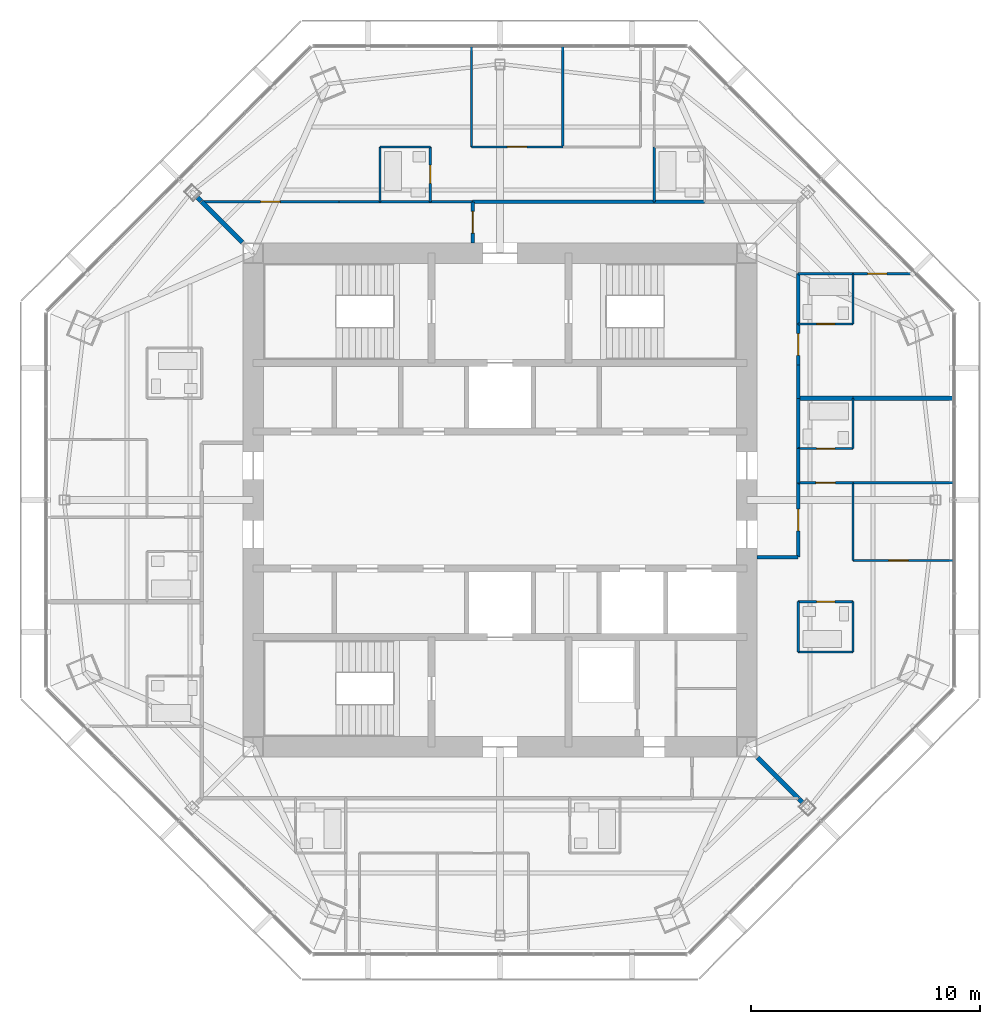
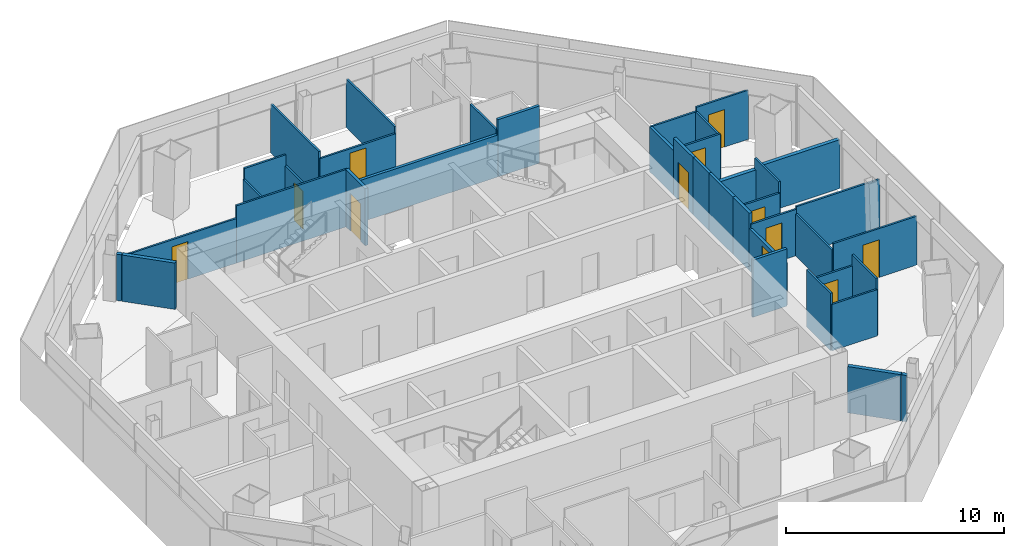
# One storey, part 11 of 14: 39 walls, 12 doors, 12 openings.
"""IFC4 building model written with IfcOpenShell, lengths in metres."""

from ifc_helpers import new_model, si_unit, direction, frame, frame_2d, origin, place, context, subcontext, project, spatial, rectangle, extrude, material, layer, layer_set, type_object, element, fill, save


model = new_model("IFC4")

# Units and contexts
model_context = context("Model", 3, precision=1e-05, world=origin(), true_north=direction((0.0, 1.0)))
body_context = subcontext(model_context, "Body", "Model", "MODEL_VIEW")
ifc_project = project(units=[si_unit("LENGTHUNIT", "METRE"), si_unit("AREAUNIT", "SQUARE_METRE"), si_unit("VOLUMEUNIT", "CUBIC_METRE"), si_unit("PLANEANGLEUNIT", "RADIAN"), si_unit("MASSUNIT", "GRAM", prefix="KILO")], contexts=[model_context])

# Site, building, storey
site_placement = place(None, origin())
site = spatial("IfcSite", under=ifc_project, at=site_placement, CompositionType="ELEMENT")
building_placement = place(site_placement, origin())
building = spatial("IfcBuilding", under=site, at=building_placement, Name="Mashrafa Tower", CompositionType="ELEMENT")
storey_placement = place(building_placement, frame((0.0, 0.0, 287.800048828125)))
storey = spatial("IfcBuildingStorey", under=building, at=storey_placement, Name="L70", CompositionType="ELEMENT", Elevation=287.800048828125)

# Walls
ifc_material_1 = material(Name="Gypsum board on steel studs", Category="steel")
ifc_layer_1 = layer(ifc_material_1, 0.199951171875)
ifc_layer_set_1 = layer_set([ifc_layer_1], Name="Acoustic partition 200 1 hr")
wall_type_1 = type_object("IfcWallType", Name="Acoustic partition 200 1 hr", PredefinedType="PARTITIONING", material=ifc_layer_set_1)
wall_1_placement = place(storey_placement, frame((15.449951171875, 4.449951171875, 0.0), z_axis=(0.0, 0.0, 1.0), x_axis=(-1.0, 0.0, 0.0)))
element("IfcWall", 1, at=wall_1_placement, inside=storey, type_object=wall_type_1, Name="Acoustic wall L70-043", PredefinedType="PARTITIONING", context=body_context, shape_type="SweptSolid", body=[
    extrude(rectangle(XDim=2.39990234375, YDim=0.199951171875, at=frame_2d((1.199951171875, 0.0))), origin(), (0.0, 0.0, 1.0), 2.590576171875),
])
wall_2_placement = place(storey_placement, frame((19.855224609375, 4.449951171875, 0.0), z_axis=(0.0, 0.0, 1.0), x_axis=(-1.0, 0.0, 0.0)))
element("IfcWall", 2, at=wall_2_placement, inside=storey, type_object=wall_type_1, Name="Acoustic wall L70-045", PredefinedType="PARTITIONING", context=body_context, shape_type="SweptSolid", body=[
    extrude(rectangle(XDim=4.4052734375, YDim=0.199951171875, at=frame_2d((2.20263671875, 0.0))), origin(), (0.0, 0.0, 1.0), 2.730224609375),
])
wall_3_placement = place(storey_placement, frame((13.0751953125, -13.0751953125, 0.0), z_axis=(0.0, 0.0, 1.0), x_axis=(0.707106781187, -0.707106781187, 0.0)))
element("IfcWall", 3, at=wall_3_placement, inside=storey, type_object=wall_type_1, Name="Acoustic wall L70-046", PredefinedType="PARTITIONING", context=body_context, shape_type="SweptSolid", body=[
    extrude(rectangle(XDim=0.24169921875, YDim=0.199951171875, at=frame_2d((0.120849609375, 0.0))), origin(), (0.0, 0.0, 1.0), 2.590576171875),
])
wall_4_placement = place(storey_placement, frame((11.26904296875, -11.26904296875, 0.0), z_axis=(0.0, 0.0, 1.0), x_axis=(0.707106781187, -0.707106781187, 0.0)))
element("IfcWall", 4, at=wall_4_placement, inside=storey, type_object=wall_type_1, Name="Acoustic wall L70-047", PredefinedType="PARTITIONING", context=body_context, shape_type="SweptSolid", body=[
    extrude(rectangle(XDim=2.52001953125, YDim=0.199951171875, at=frame_2d((1.260009765625, 0.0))), origin(), (0.0, 0.0, 1.0), 2.590576171875),
])
wall_5_placement = place(storey_placement, frame((-13.24609375, 13.24609375, 0.0), z_axis=(0.0, 0.0, 1.0), x_axis=(0.707106781187, -0.707106781187, 0.0)))
element("IfcWall", 5, at=wall_5_placement, inside=storey, type_object=wall_type_1, Name="Acoustic wall L70-065", PredefinedType="PARTITIONING", context=body_context, shape_type="SweptSolid", body=[
    extrude(rectangle(XDim=0.241455078125, YDim=0.199951171875, at=frame_2d((0.12060546875, 0.0))), origin(), (0.0, 0.0, 1.0), 2.590576171875),
])
wall_6_placement = place(storey_placement, frame((-11.26904296875, 11.26904296875, 0.0), z_axis=(0.0, 0.0, 1.0), x_axis=(-0.707106781187, 0.707106781187, 0.0)))
element("IfcWall", 6, at=wall_6_placement, inside=storey, type_object=wall_type_1, Name="Acoustic wall L70-080", PredefinedType="PARTITIONING", context=body_context, shape_type="SweptSolid", body=[
    extrude(rectangle(XDim=2.52001953125, YDim=0.199951171875, at=frame_2d((1.260009765625, 0.0))), origin(), (0.0, 0.0, 1.0), 2.590576171875),
])
ifc_material_2 = material(Name="Gypsum board on steel studs", Category="steel")
ifc_layer_2 = layer(ifc_material_2, 0.14990234375)
ifc_layer_set_2 = layer_set([ifc_layer_2], Name="Corridor partition 150 1 hr")
wall_type_2 = type_object("IfcWallType", Name="Corridor partition 150 1 hr", PredefinedType="PARTITIONING", material=ifc_layer_set_2)
wall_7_placement = place(storey_placement, frame((13.050048828125, 2.2490234375, 0.0), z_axis=(0.0, 0.0, 1.0), x_axis=(0.0, 1.0, 0.0)))
element("IfcWall", 7, at=wall_7_placement, inside=storey, type_object=wall_type_2, Name="Corridor wall L70-001", PredefinedType="PARTITIONING", context=body_context, shape_type="SweptSolid", body=[
    extrude(rectangle(XDim=2.201904296875, YDim=0.14990234375, at=frame_2d((1.10107421875, 0.0))), origin(), (0.0, 0.0, 1.0), 3.199951171875),
])
wall_8_placement = place(storey_placement, frame((13.050048828125, 0.7490234375, 0.0), z_axis=(0.0, 0.0, 1.0), x_axis=(0.0, 1.0, 0.0)))
element("IfcWall", 8, at=wall_8_placement, inside=storey, type_object=wall_type_2, Name="Corridor wall L70-002", PredefinedType="PARTITIONING", context=body_context, shape_type="SweptSolid", body=[
    extrude(rectangle(XDim=1.501953125, YDim=0.14990234375, at=frame_2d((0.7509765625, 0.0))), origin(), (0.0, 0.0, 1.0), 3.199951171875),
])
wall_9_placement = place(storey_placement, frame((11.25, -2.5, 0.0), z_axis=(0.0, 0.0, 1.0), x_axis=(1.0, 0.0, 0.0)))
element("IfcWall", 9, at=wall_9_placement, inside=storey, type_object=wall_type_2, Name="Corridor wall L70-003", PredefinedType="PARTITIONING", context=body_context, shape_type="SweptSolid", body=[
    extrude(rectangle(XDim=1.800048828125, YDim=0.14990234375, at=frame_2d((0.89990234375, 0.0))), origin(), (0.0, 0.0, 1.0), 3.199951171875),
])

# Wall, opening, door
wall_10_placement = place(storey_placement, frame((13.050048828125, -2.5, 0.0), z_axis=(0.0, 0.0, 1.0), x_axis=(0.0, 1.0, 0.0)))
wall_10 = element("IfcWall", 10, at=wall_10_placement, inside=storey, type_object=wall_type_2, Name="Corridor wall L70-004", PredefinedType="PARTITIONING", context=body_context, shape_type="SweptSolid", body=[
    extrude(rectangle(XDim=3.2509765625, YDim=0.14990234375, at=frame_2d((1.62548828125, 0.0))), origin(), (0.0, 0.0, 1.0), 2.349365234375),
])
opening_1_placement = place(wall_10_placement, frame((1.150390625, 0.0, 0.0)))
opening_1 = element("IfcOpeningElement", 11, at=opening_1_placement, cuts=wall_10, Name="Opening 70.007", PredefinedType="OPENING", context=body_context, shape_type="SweptSolid", body=[
    extrude(rectangle(XDim=0.949951171875, YDim=2.10009765625, at=frame_2d((0.47509765625, 1.050048828125))), frame((0.0, 0.0849609375, 0.0), z_axis=(0.0, -1.0, 0.0), x_axis=(1.0, 0.0, 0.0)), (0.0, 0.0, 1.0), 0.169921875),
])
ifc_material_3 = material(Name="Steel door", Category="steel")
door_type_1 = type_object("IfcDoorType", Name="Residence entrance door 950 x 2100 20 min", OperationType="USERDEFINED", PredefinedType="DOOR", material=ifc_material_3)
door_1_placement = place(opening_1_placement, frame((0.949951171875, 0.0, 0.0), z_axis=(0.0, 0.0, 1.0), x_axis=(-1.0, 0.0, 0.0)))
door_1 = element("IfcDoor", 12, at=door_1_placement, inside=storey, type_object=door_type_1, Name="Apartment 7001 Living Room door", OperationType="SINGLE_SWING_LEFT", OverallHeight=2.10009765625, OverallWidth=0.949951171875, PredefinedType="DOOR", context=body_context, shape_type="SweptSolid", body=[
    extrude(rectangle(XDim=0.949951171875, YDim=2.10009765625, at=frame_2d((0.47509765625, 1.050048828125))), frame((0.0, 0.02490234375, 0.0), z_axis=(0.0, -1.0, 0.0), x_axis=(1.0, 0.0, 0.0)), (0.0, 0.0, 1.0), 0.050048828125),
])
fill(opening_1, door_1)

# Walls
wall_11_placement = place(storey_placement, frame((13.050048828125, 7.698974609375, 0.0), z_axis=(0.0, 0.0, 1.0), x_axis=(0.0, 1.0, 0.0)))
element("IfcWall", 13, at=wall_11_placement, inside=storey, type_object=wall_type_2, Name="Corridor wall L70-006", PredefinedType="PARTITIONING", context=body_context, shape_type="SweptSolid", body=[
    extrude(rectangle(XDim=2.201904296875, YDim=0.14990234375, at=frame_2d((1.10107421875, 0.0))), origin(), (0.0, 0.0, 1.0), 2.49658203125),
])
wall_12_placement = place(storey_placement, frame((13.050048828125, 4.448974609375, 0.0), z_axis=(0.0, 0.0, 1.0), x_axis=(0.0, 1.0, 0.0)))
element("IfcWall", 14, at=wall_12_placement, inside=storey, type_object=wall_type_2, Name="Corridor wall L70-007", PredefinedType="PARTITIONING", context=body_context, shape_type="SweptSolid", body=[
    extrude(rectangle(XDim=1.451904296875, YDim=0.14990234375, at=frame_2d((0.72607421875, 0.0))), origin(), (0.0, 0.0, 1.0), 3.199951171875),
])

# Wall, opening, door
wall_13_placement = place(storey_placement, frame((13.050048828125, 5.89892578125, 0.0), z_axis=(0.0, 0.0, 1.0), x_axis=(0.0, 1.0, 0.0)))
wall_13 = element("IfcWall", 15, at=wall_13_placement, inside=storey, type_object=wall_type_2, Name="Corridor wall L70-008", PredefinedType="PARTITIONING", context=body_context, shape_type="SweptSolid", body=[
    extrude(rectangle(XDim=1.802001953125, YDim=0.14990234375, at=frame_2d((0.90087890625, 0.0))), origin(), (0.0, 0.0, 1.0), 3.199951171875),
])
opening_2_placement = place(wall_13_placement, frame((0.426025390625, 0.0, 0.0)))
opening_2 = element("IfcOpeningElement", 16, at=opening_2_placement, cuts=wall_13, Name="Opening 70.010", PredefinedType="OPENING", context=body_context, shape_type="SweptSolid", body=[
    extrude(rectangle(XDim=0.949951171875, YDim=2.10009765625, at=frame_2d((0.47509765625, 1.050048828125))), frame((0.0, 0.0849609375, 0.0), z_axis=(0.0, -1.0, 0.0), x_axis=(1.0, 0.0, 0.0)), (0.0, 0.0, 1.0), 0.169921875),
])
door_2_placement = place(opening_2_placement, frame((0.949951171875, 0.0, 0.0), z_axis=(0.0, 0.0, 1.0), x_axis=(-1.0, 0.0, 0.0)))
door_2 = element("IfcDoor", 17, at=door_2_placement, inside=storey, type_object=door_type_1, Name="Apartment 7002 Living Room door", OperationType="SINGLE_SWING_RIGHT", OverallHeight=2.10009765625, OverallWidth=0.949951171875, PredefinedType="DOOR", context=body_context, shape_type="SweptSolid", body=[
    extrude(rectangle(XDim=0.949951171875, YDim=2.10009765625, at=frame_2d((0.47509765625, 1.050048828125))), frame((0.0, 0.02490234375, 0.0), z_axis=(0.0, -1.0, 0.0), x_axis=(1.0, 0.0, 0.0)), (0.0, 0.0, 1.0), 0.050048828125),
])
fill(opening_2, door_2)

# Walls
wall_14_placement = place(storey_placement, frame((8.950927734375, 13.050048828125, 0.0), z_axis=(0.0, 0.0, 1.0), x_axis=(-1.0, 0.0, 0.0)))
element("IfcWall", 18, at=wall_14_placement, inside=storey, type_object=wall_type_2, Name="Corridor wall L70-009", PredefinedType="PARTITIONING", context=body_context, shape_type="SweptSolid", body=[
    extrude(rectangle(XDim=2.201904296875, YDim=0.14990234375, at=frame_2d((1.10107421875, 0.0))), origin(), (0.0, 0.0, 1.0), 3.199951171875),
])
wall_15_placement = place(storey_placement, frame((6.7509765625, 13.050048828125, 0.0), z_axis=(0.0, 0.0, 1.0), x_axis=(-1.0, 0.0, 0.0)))
element("IfcWall", 19, at=wall_15_placement, inside=storey, type_object=wall_type_2, Name="Corridor wall L70-011", PredefinedType="PARTITIONING", context=body_context, shape_type="SweptSolid", body=[
    extrude(rectangle(XDim=7.950927734375, YDim=0.14990234375, at=frame_2d((3.9755859375, 0.0))), origin(), (0.0, 0.0, 1.0), 2.349365234375),
])

# Wall, opening, door
wall_16_placement = place(storey_placement, frame((-1.199951171875, 13.050048828125, 0.0), z_axis=(0.0, 0.0, 1.0), x_axis=(0.0, -1.0, 0.0)))
wall_16 = element("IfcWall", 20, at=wall_16_placement, inside=storey, type_object=wall_type_2, Name="Corridor wall L70-012", PredefinedType="PARTITIONING", context=body_context, shape_type="SweptSolid", body=[
    extrude(rectangle(XDim=1.800048828125, YDim=0.14990234375, at=frame_2d((0.89990234375, 0.0))), origin(), (0.0, 0.0, 1.0), 3.199951171875),
])
opening_3_placement = place(wall_16_placement, frame((0.425048828125, 0.0, 0.0)))
opening_3 = element("IfcOpeningElement", 21, at=opening_3_placement, cuts=wall_16, Name="Opening 70.030", PredefinedType="OPENING", context=body_context, shape_type="SweptSolid", body=[
    extrude(rectangle(XDim=0.949951171875, YDim=2.10009765625, at=frame_2d((0.47509765625, 1.050048828125))), frame((0.0, 0.0849609375, 0.0), z_axis=(0.0, -1.0, 0.0), x_axis=(1.0, 0.0, 0.0)), (0.0, 0.0, 1.0), 0.169921875),
])
door_3_placement = place(opening_3_placement, origin())
door_3 = element("IfcDoor", 22, at=door_3_placement, inside=storey, type_object=door_type_1, Name="Apartment 7003 Entrance Hall door", OperationType="SINGLE_SWING_LEFT", OverallHeight=2.10009765625, OverallWidth=0.949951171875, PredefinedType="DOOR", context=body_context, shape_type="SweptSolid", body=[
    extrude(rectangle(XDim=0.949951171875, YDim=2.10009765625, at=frame_2d((0.47509765625, 1.050048828125))), frame((0.0, 0.02490234375, 0.0), z_axis=(0.0, -1.0, 0.0), x_axis=(1.0, 0.0, 0.0)), (0.0, 0.0, 1.0), 0.050048828125),
])
fill(opening_3, door_3)

# Walls
ifc_material_4 = material(Name="Gypsum board on steel studs", Category="steel")
ifc_layer_3 = layer(ifc_material_4, 0.10009765625)
ifc_layer_set_3 = layer_set([ifc_layer_3], Name="Partition 100")
wall_type_3 = type_object("IfcWallType", Name="Partition 100", PredefinedType="PARTITIONING", material=ifc_layer_set_3)
wall_17_placement = place(storey_placement, frame((2.75, 19.855224609375, 0.0), z_axis=(0.0, 0.0, 1.0), x_axis=(0.0, -1.0, 0.0)))
element("IfcWall", 23, at=wall_17_placement, inside=storey, type_object=wall_type_3, Name="Partition wall L70-028", PredefinedType="PARTITIONING", context=body_context, shape_type="SweptSolid", body=[
    extrude(rectangle(XDim=4.4052734375, YDim=0.10009765625, at=frame_2d((2.20263671875, 0.0))), origin(), (0.0, 0.0, 1.0), 2.730224609375),
])
wall_18_placement = place(storey_placement, frame((15.449951171875, -6.64990234375, 0.0), z_axis=(0.0, 0.0, 1.0), x_axis=(-1.0, 0.0, 0.0)))
element("IfcWall", 24, at=wall_18_placement, inside=storey, type_object=wall_type_3, Name="Partition wall L70-034", PredefinedType="PARTITIONING", context=body_context, shape_type="SweptSolid", body=[
    extrude(rectangle(XDim=2.39990234375, YDim=0.10009765625, at=frame_2d((1.199951171875, 0.0))), origin(), (0.0, 0.0, 1.0), 2.590576171875),
])
wall_19_placement = place(storey_placement, frame((15.449951171875, -6.64990234375, 0.0), z_axis=(0.0, 0.0, 1.0), x_axis=(0.0, 1.0, 0.0)))
element("IfcWall", 25, at=wall_19_placement, inside=storey, type_object=wall_type_3, Name="Partition wall L70-035", PredefinedType="PARTITIONING", context=body_context, shape_type="SweptSolid", body=[
    extrude(rectangle(XDim=2.199951171875, YDim=0.10009765625, at=frame_2d((1.10009765625, 0.0))), origin(), (0.0, 0.0, 1.0), 3.199951171875),
])

# Wall, opening, door
wall_20_placement = place(storey_placement, frame((15.449951171875, -4.449951171875, 0.0), z_axis=(0.0, 0.0, 1.0), x_axis=(-1.0, 0.0, 0.0)))
wall_20 = element("IfcWall", 26, at=wall_20_placement, inside=storey, type_object=wall_type_3, Name="Partition wall L70-036", PredefinedType="PARTITIONING", context=body_context, shape_type="SweptSolid", body=[
    extrude(rectangle(XDim=2.39990234375, YDim=0.10009765625, at=frame_2d((1.199951171875, 0.0))), origin(), (0.0, 0.0, 1.0), 2.590576171875),
])
opening_4_placement = place(wall_20_placement, frame((0.800048828125, 0.0, 0.0)))
opening_4 = element("IfcOpeningElement", 27, at=opening_4_placement, cuts=wall_20, Name="Opening 70.003", PredefinedType="OPENING", context=body_context, shape_type="SweptSolid", body=[
    extrude(rectangle(XDim=0.800048828125, YDim=2.10009765625, at=frame_2d((0.39990234375, 1.050048828125))), frame((0.0, 0.06005859375, 0.0), z_axis=(0.0, -1.0, 0.0), x_axis=(1.0, 0.0, 0.0)), (0.0, 0.0, 1.0), 0.1201171875),
])
ifc_material_5 = material(Name="Timber door", Category="wood")
door_type_2 = type_object("IfcDoorType", Name="Bathroom door 800 x 2100", OperationType="USERDEFINED", PredefinedType="DOOR", material=ifc_material_5)
door_4_placement = place(opening_4_placement, origin())
door_4 = element("IfcDoor", 28, at=door_4_placement, inside=storey, type_object=door_type_2, Name="Apartment 7001 Bathroom door", OperationType="SINGLE_SWING_RIGHT", OverallHeight=2.10009765625, OverallWidth=0.800048828125, PredefinedType="DOOR", context=body_context, shape_type="SweptSolid", body=[
    extrude(rectangle(XDim=0.800048828125, YDim=2.10009765625, at=frame_2d((0.39990234375, 1.050048828125))), frame((0.0, 0.02490234375, 0.0), z_axis=(0.0, -1.0, 0.0), x_axis=(1.0, 0.0, 0.0)), (0.0, 0.0, 1.0), 0.050048828125),
])
fill(opening_4, door_4)

# Walls
wall_21_placement = place(storey_placement, frame((13.050048828125, -4.449951171875, 0.0), z_axis=(0.0, 0.0, 1.0), x_axis=(0.0, -1.0, 0.0)))
element("IfcWall", 29, at=wall_21_placement, inside=storey, type_object=wall_type_3, Name="Partition wall L70-037", PredefinedType="PARTITIONING", context=body_context, shape_type="SweptSolid", body=[
    extrude(rectangle(XDim=2.199951171875, YDim=0.10009765625, at=frame_2d((1.10009765625, 0.0))), origin(), (0.0, 0.0, 1.0), 3.199951171875),
])
wall_22_placement = place(storey_placement, frame((19.855224609375, 0.75, 0.0), z_axis=(0.0, 0.0, 1.0), x_axis=(-1.0, 0.0, 0.0)))
element("IfcWall", 30, at=wall_22_placement, inside=storey, type_object=wall_type_3, Name="Partition wall L70-038", PredefinedType="PARTITIONING", context=body_context, shape_type="SweptSolid", body=[
    extrude(rectangle(XDim=4.4052734375, YDim=0.10009765625, at=frame_2d((2.20263671875, 0.0))), origin(), (0.0, 0.0, 1.0), 2.730224609375),
])
wall_23_placement = place(storey_placement, frame((15.449951171875, 0.75, 0.0), z_axis=(0.0, 0.0, 1.0), x_axis=(0.0, -1.0, 0.0)))
element("IfcWall", 31, at=wall_23_placement, inside=storey, type_object=wall_type_3, Name="Partition wall L70-039", PredefinedType="PARTITIONING", context=body_context, shape_type="SweptSolid", body=[
    extrude(rectangle(XDim=3.39990234375, YDim=0.10009765625, at=frame_2d((1.699951171875, 0.0))), origin(), (0.0, 0.0, 1.0), 2.349365234375),
])

# Wall, opening, door
wall_24_placement = place(storey_placement, frame((15.449951171875, -2.64990234375, 0.0), z_axis=(0.0, 0.0, 1.0), x_axis=(1.0, 0.0, 0.0)))
wall_24 = element("IfcWall", 32, at=wall_24_placement, inside=storey, type_object=wall_type_3, Name="Partition wall L70-040", PredefinedType="PARTITIONING", context=body_context, shape_type="SweptSolid", body=[
    extrude(rectangle(XDim=4.407470703125, YDim=0.10009765625, at=frame_2d((2.20361328125, 0.0))), origin(), (0.0, 0.0, 1.0), 2.730224609375),
])
opening_5_placement = place(wall_24_placement, frame((1.5615234375, 0.0, 0.0)))
opening_5 = element("IfcOpeningElement", 33, at=opening_5_placement, cuts=wall_24, Name="Opening 70.004", PredefinedType="OPENING", context=body_context, shape_type="SweptSolid", body=[
    extrude(rectangle(XDim=0.85009765625, YDim=2.10009765625, at=frame_2d((0.425048828125, 1.050048828125))), frame((0.0, 0.06005859375, 0.0), z_axis=(0.0, -1.0, 0.0), x_axis=(1.0, 0.0, 0.0)), (0.0, 0.0, 1.0), 0.1201171875),
])
ifc_material_6 = material(Name="Timber door", Category="wood")
door_type_3 = type_object("IfcDoorType", Name="Bedroom door 850 x 2100", OperationType="USERDEFINED", PredefinedType="DOOR", material=ifc_material_6)
door_5_placement = place(opening_5_placement, origin())
door_5 = element("IfcDoor", 34, at=door_5_placement, inside=storey, type_object=door_type_3, Name="Apartment 7001 Bedroom 1 door", OperationType="SINGLE_SWING_LEFT", OverallHeight=2.10009765625, OverallWidth=0.85009765625, PredefinedType="DOOR", context=body_context, shape_type="SweptSolid", body=[
    extrude(rectangle(XDim=0.85009765625, YDim=2.10009765625, at=frame_2d((0.425048828125, 1.050048828125))), frame((0.0, 0.02490234375, 0.0), z_axis=(0.0, -1.0, 0.0), x_axis=(1.0, 0.0, 0.0)), (0.0, 0.0, 1.0), 0.050048828125),
])
fill(opening_5, door_5)

wall_25_placement = place(storey_placement, frame((13.050048828125, 2.25, 0.0), z_axis=(0.0, 0.0, 1.0), x_axis=(1.0, 0.0, 0.0)))
wall_25 = element("IfcWall", 35, at=wall_25_placement, inside=storey, type_object=wall_type_3, Name="Partition wall L70-041", PredefinedType="PARTITIONING", context=body_context, shape_type="SweptSolid", body=[
    extrude(rectangle(XDim=2.39990234375, YDim=0.10009765625, at=frame_2d((1.199951171875, 0.0))), origin(), (0.0, 0.0, 1.0), 2.590576171875),
])
opening_6_placement = place(wall_25_placement, frame((0.800048828125, 0.0, 0.0)))
opening_6 = element("IfcOpeningElement", 36, at=opening_6_placement, cuts=wall_25, Name="Opening 70.005", PredefinedType="OPENING", context=body_context, shape_type="SweptSolid", body=[
    extrude(rectangle(XDim=0.800048828125, YDim=2.10009765625, at=frame_2d((0.39990234375, 1.050048828125))), frame((0.0, 0.06005859375, 0.0), z_axis=(0.0, -1.0, 0.0), x_axis=(1.0, 0.0, 0.0)), (0.0, 0.0, 1.0), 0.1201171875),
])
door_6_placement = place(opening_6_placement, origin())
door_6 = element("IfcDoor", 37, at=door_6_placement, inside=storey, type_object=door_type_2, Name="Apartment 7001 En-suite Bathroom door", OperationType="SINGLE_SWING_RIGHT", OverallHeight=2.10009765625, OverallWidth=0.800048828125, PredefinedType="DOOR", context=body_context, shape_type="SweptSolid", body=[
    extrude(rectangle(XDim=0.800048828125, YDim=2.10009765625, at=frame_2d((0.39990234375, 1.050048828125))), frame((0.0, 0.02490234375, 0.0), z_axis=(0.0, -1.0, 0.0), x_axis=(1.0, 0.0, 0.0)), (0.0, 0.0, 1.0), 0.050048828125),
])
fill(opening_6, door_6)

# Wall
wall_26_placement = place(storey_placement, frame((15.449951171875, 2.25, 0.0), z_axis=(0.0, 0.0, 1.0), x_axis=(0.0, 1.0, 0.0)))
element("IfcWall", 38, at=wall_26_placement, inside=storey, type_object=wall_type_3, Name="Partition wall L70-042", PredefinedType="PARTITIONING", context=body_context, shape_type="SweptSolid", body=[
    extrude(rectangle(XDim=2.199951171875, YDim=0.10009765625, at=frame_2d((1.10009765625, 0.0))), origin(), (0.0, 0.0, 1.0), 3.199951171875),
])

# Wall, opening, door
wall_27_placement = place(storey_placement, frame((13.050048828125, 0.75, 0.0), z_axis=(0.0, 0.0, 1.0), x_axis=(1.0, 0.0, 0.0)))
wall_27 = element("IfcWall", 39, at=wall_27_placement, inside=storey, type_object=wall_type_3, Name="Partition wall L70-044", PredefinedType="PARTITIONING", context=body_context, shape_type="SweptSolid", body=[
    extrude(rectangle(XDim=2.40087890625, YDim=0.10009765625, at=frame_2d((1.200439453125, 0.0))), origin(), (0.0, 0.0, 1.0), 2.590576171875),
])
opening_7_placement = place(wall_27_placement, frame((0.775390625, 0.0, 0.0)))
opening_7 = element("IfcOpeningElement", 40, at=opening_7_placement, cuts=wall_27, Name="Opening 70.006", PredefinedType="OPENING", context=body_context, shape_type="SweptSolid", body=[
    extrude(rectangle(XDim=0.85009765625, YDim=2.10009765625, at=frame_2d((0.425048828125, 1.050048828125))), frame((0.0, 0.06005859375, 0.0), z_axis=(0.0, -1.0, 0.0), x_axis=(1.0, 0.0, 0.0)), (0.0, 0.0, 1.0), 0.1201171875),
])
door_7_placement = place(opening_7_placement, origin())
door_7 = element("IfcDoor", 41, at=door_7_placement, inside=storey, type_object=door_type_3, Name="Apartment 7001 Bedroom 2 door", OperationType="SINGLE_SWING_LEFT", OverallHeight=2.10009765625, OverallWidth=0.85009765625, PredefinedType="DOOR", context=body_context, shape_type="SweptSolid", body=[
    extrude(rectangle(XDim=0.85009765625, YDim=2.10009765625, at=frame_2d((0.425048828125, 1.050048828125))), frame((0.0, 0.02490234375, 0.0), z_axis=(0.0, -1.0, 0.0), x_axis=(1.0, 0.0, 0.0)), (0.0, 0.0, 1.0), 0.050048828125),
])
fill(opening_7, door_7)

# Wall
wall_28_placement = place(storey_placement, frame((13.050048828125, 9.89990234375, 0.0), z_axis=(0.0, 0.0, 1.0), x_axis=(1.0, 0.0, 0.0)))
element("IfcWall", 42, at=wall_28_placement, inside=storey, type_object=wall_type_3, Name="Partition wall L70-048", PredefinedType="PARTITIONING", context=body_context, shape_type="SweptSolid", body=[
    extrude(rectangle(XDim=2.40087890625, YDim=0.10009765625, at=frame_2d((1.200439453125, 0.0))), origin(), (0.0, 0.0, 1.0), 2.49658203125),
])

# Wall, opening, door
wall_29_placement = place(storey_placement, frame((15.448974609375, 9.89990234375, 0.0), z_axis=(0.0, 0.0, 1.0), x_axis=(1.0, 0.0, 0.0)))
wall_29 = element("IfcWall", 43, at=wall_29_placement, inside=storey, type_object=wall_type_3, Name="Partition wall L70-049", PredefinedType="PARTITIONING", context=body_context, shape_type="SweptSolid", body=[
    extrude(rectangle(XDim=2.734130859375, YDim=0.10009765625, at=frame_2d((1.3671875, 0.0))), origin(), (0.0, 0.0, 1.0), 2.740234375),
])
opening_8_placement = place(wall_29_placement, frame((0.634765625, 0.0, 0.0)))
opening_8 = element("IfcOpeningElement", 44, at=opening_8_placement, cuts=wall_29, Name="Opening 70.008", PredefinedType="OPENING", context=body_context, shape_type="SweptSolid", body=[
    extrude(rectangle(XDim=0.85009765625, YDim=2.10009765625, at=frame_2d((0.425048828125, 1.050048828125))), frame((0.0, 0.06005859375, 0.0), z_axis=(0.0, -1.0, 0.0), x_axis=(1.0, 0.0, 0.0)), (0.0, 0.0, 1.0), 0.1201171875),
])
door_8_placement = place(opening_8_placement, origin())
door_8 = element("IfcDoor", 45, at=door_8_placement, inside=storey, type_object=door_type_3, Name="Apartment 7002 Bedroom 1 door", OperationType="SINGLE_SWING_RIGHT", OverallHeight=2.10009765625, OverallWidth=0.85009765625, PredefinedType="DOOR", context=body_context, shape_type="SweptSolid", body=[
    extrude(rectangle(XDim=0.85009765625, YDim=2.10009765625, at=frame_2d((0.425048828125, 1.050048828125))), frame((0.0, 0.02490234375, 0.0), z_axis=(0.0, -1.0, 0.0), x_axis=(1.0, 0.0, 0.0)), (0.0, 0.0, 1.0), 0.050048828125),
])
fill(opening_8, door_8)

wall_30_placement = place(storey_placement, frame((13.050048828125, 7.699951171875, 0.0), z_axis=(0.0, 0.0, 1.0), x_axis=(1.0, 0.0, 0.0)))
wall_30 = element("IfcWall", 46, at=wall_30_placement, inside=storey, type_object=wall_type_3, Name="Partition wall L70-051", PredefinedType="PARTITIONING", context=body_context, shape_type="SweptSolid", body=[
    extrude(rectangle(XDim=2.39990234375, YDim=0.10009765625, at=frame_2d((1.199951171875, 0.0))), origin(), (0.0, 0.0, 1.0), 2.590576171875),
])
opening_9_placement = place(wall_30_placement, frame((0.800048828125, 0.0, 0.0)))
opening_9 = element("IfcOpeningElement", 47, at=opening_9_placement, cuts=wall_30, Name="Opening 70.009", PredefinedType="OPENING", context=body_context, shape_type="SweptSolid", body=[
    extrude(rectangle(XDim=0.800048828125, YDim=2.10009765625, at=frame_2d((0.39990234375, 1.050048828125))), frame((0.0, 0.06005859375, 0.0), z_axis=(0.0, -1.0, 0.0), x_axis=(1.0, 0.0, 0.0)), (0.0, 0.0, 1.0), 0.1201171875),
])
door_9_placement = place(opening_9_placement, origin())
door_9 = element("IfcDoor", 48, at=door_9_placement, inside=storey, type_object=door_type_2, Name="Apartment 7002 Bathroom door", OperationType="SINGLE_SWING_RIGHT", OverallHeight=2.10009765625, OverallWidth=0.800048828125, PredefinedType="DOOR", context=body_context, shape_type="SweptSolid", body=[
    extrude(rectangle(XDim=0.800048828125, YDim=2.10009765625, at=frame_2d((0.39990234375, 1.050048828125))), frame((0.0, 0.02490234375, 0.0), z_axis=(0.0, -1.0, 0.0), x_axis=(1.0, 0.0, 0.0)), (0.0, 0.0, 1.0), 0.050048828125),
])
fill(opening_9, door_9)

# Walls
wall_31_placement = place(storey_placement, frame((15.449951171875, 7.699951171875, 0.0), z_axis=(0.0, 0.0, 1.0), x_axis=(0.0, 1.0, 0.0)))
element("IfcWall", 49, at=wall_31_placement, inside=storey, type_object=wall_type_3, Name="Partition wall L70-052", PredefinedType="PARTITIONING", context=body_context, shape_type="SweptSolid", body=[
    extrude(rectangle(XDim=2.199951171875, YDim=0.10009765625, at=frame_2d((1.10009765625, 0.0))), origin(), (0.0, 0.0, 1.0), 2.49658203125),
])
wall_32_placement = place(storey_placement, frame((-5.25, 13.050048828125, 0.0), z_axis=(0.0, 0.0, 1.0), x_axis=(0.0, 1.0, 0.0)))
element("IfcWall", 50, at=wall_32_placement, inside=storey, type_object=wall_type_3, Name="Partition wall L70-053", PredefinedType="PARTITIONING", context=body_context, shape_type="SweptSolid", body=[
    extrude(rectangle(XDim=2.39990234375, YDim=0.10009765625, at=frame_2d((1.199951171875, 0.0))), origin(), (0.0, 0.0, 1.0), 2.590576171875),
])
wall_33_placement = place(storey_placement, frame((-7.050048828125, 13.050048828125, 0.0), z_axis=(0.0, 0.0, 1.0), x_axis=(1.0, 0.0, 0.0)))
element("IfcWall", 51, at=wall_33_placement, inside=storey, type_object=wall_type_3, Name="Partition wall L70-054", PredefinedType="PARTITIONING", context=body_context, shape_type="SweptSolid", body=[
    extrude(rectangle(XDim=5.85107421875, YDim=0.10009765625, at=frame_2d((2.925537109375, 0.0))), origin(), (0.0, 0.0, 1.0), 3.199951171875),
])

# Wall, opening, door
wall_34_placement = place(storey_placement, frame((-3.050048828125, 13.050048828125, 0.0), z_axis=(0.0, 0.0, 1.0), x_axis=(0.0, 1.0, 0.0)))
wall_34 = element("IfcWall", 52, at=wall_34_placement, inside=storey, type_object=wall_type_3, Name="Partition wall L70-055", PredefinedType="PARTITIONING", context=body_context, shape_type="SweptSolid", body=[
    extrude(rectangle(XDim=2.39990234375, YDim=0.10009765625, at=frame_2d((1.199951171875, 0.0))), origin(), (0.0, 0.0, 1.0), 2.590576171875),
])
opening_10_placement = place(wall_34_placement, frame((0.800048828125, 0.0, 0.0)))
opening_10 = element("IfcOpeningElement", 53, at=opening_10_placement, cuts=wall_34, Name="Opening 70.011", PredefinedType="OPENING", context=body_context, shape_type="SweptSolid", body=[
    extrude(rectangle(XDim=0.800048828125, YDim=2.10009765625, at=frame_2d((0.39990234375, 1.050048828125))), frame((0.0, 0.06005859375, 0.0), z_axis=(0.0, -1.0, 0.0), x_axis=(1.0, 0.0, 0.0)), (0.0, 0.0, 1.0), 0.1201171875),
])
door_10_placement = place(opening_10_placement, origin())
door_10 = element("IfcDoor", 54, at=door_10_placement, inside=storey, type_object=door_type_2, Name="Apartment 7003 Bathroom door", OperationType="SINGLE_SWING_RIGHT", OverallHeight=2.10009765625, OverallWidth=0.800048828125, PredefinedType="DOOR", context=body_context, shape_type="SweptSolid", body=[
    extrude(rectangle(XDim=0.800048828125, YDim=2.10009765625, at=frame_2d((0.39990234375, 1.050048828125))), frame((0.0, 0.02490234375, 0.0), z_axis=(0.0, -1.0, 0.0), x_axis=(1.0, 0.0, 0.0)), (0.0, 0.0, 1.0), 0.050048828125),
])
fill(opening_10, door_10)

# Walls
wall_35_placement = place(storey_placement, frame((-3.050048828125, 15.449951171875, 0.0), z_axis=(0.0, 0.0, 1.0), x_axis=(-1.0, 0.0, 0.0)))
element("IfcWall", 55, at=wall_35_placement, inside=storey, type_object=wall_type_3, Name="Partition wall L70-056", PredefinedType="PARTITIONING", context=body_context, shape_type="SweptSolid", body=[
    extrude(rectangle(XDim=2.199951171875, YDim=0.10009765625, at=frame_2d((1.10009765625, 0.0))), origin(), (0.0, 0.0, 1.0), 3.199951171875),
])
wall_36_placement = place(storey_placement, frame((-1.25, 19.855224609375, 0.0), z_axis=(0.0, 0.0, 1.0), x_axis=(0.0, -1.0, 0.0)))
element("IfcWall", 56, at=wall_36_placement, inside=storey, type_object=wall_type_3, Name="Partition wall L70-058", PredefinedType="PARTITIONING", context=body_context, shape_type="SweptSolid", body=[
    extrude(rectangle(XDim=4.4052734375, YDim=0.10009765625, at=frame_2d((2.20263671875, 0.0))), origin(), (0.0, 0.0, 1.0), 2.730224609375),
])

# Wall, opening, door
wall_37_placement = place(storey_placement, frame((-1.25, 15.449951171875, 0.0), z_axis=(0.0, 0.0, 1.0), x_axis=(1.0, 0.0, 0.0)))
wall_37 = element("IfcWall", 57, at=wall_37_placement, inside=storey, type_object=wall_type_3, Name="Partition wall L70-059", PredefinedType="PARTITIONING", context=body_context, shape_type="SweptSolid", body=[
    extrude(rectangle(XDim=4.0, YDim=0.10009765625, at=frame_2d((2.0, 0.0))), origin(), (0.0, 0.0, 1.0), 2.349365234375),
])
opening_11_placement = place(wall_37_placement, frame((1.574951171875, 0.0, 0.0)))
opening_11 = element("IfcOpeningElement", 58, at=opening_11_placement, cuts=wall_37, Name="Opening 70.012", PredefinedType="OPENING", context=body_context, shape_type="SweptSolid", body=[
    extrude(rectangle(XDim=0.85009765625, YDim=2.10009765625, at=frame_2d((0.425048828125, 1.050048828125))), frame((0.0, 0.06005859375, 0.0), z_axis=(0.0, -1.0, 0.0), x_axis=(1.0, 0.0, 0.0)), (0.0, 0.0, 1.0), 0.1201171875),
])
door_11_placement = place(opening_11_placement, origin())
door_11 = element("IfcDoor", 59, at=door_11_placement, inside=storey, type_object=door_type_3, Name="Apartment 7003 Bedroom 1 door", OperationType="SINGLE_SWING_LEFT", OverallHeight=2.10009765625, OverallWidth=0.85009765625, PredefinedType="DOOR", context=body_context, shape_type="SweptSolid", body=[
    extrude(rectangle(XDim=0.85009765625, YDim=2.10009765625, at=frame_2d((0.425048828125, 1.050048828125))), frame((0.0, 0.02490234375, 0.0), z_axis=(0.0, -1.0, 0.0), x_axis=(1.0, 0.0, 0.0)), (0.0, 0.0, 1.0), 0.050048828125),
])
fill(opening_11, door_11)

# Wall
wall_38_placement = place(storey_placement, frame((6.75, 15.449951171875, 0.0), z_axis=(0.0, 0.0, 1.0), x_axis=(0.0, -1.0, 0.0)))
element("IfcWall", 60, at=wall_38_placement, inside=storey, type_object=wall_type_3, Name="Partition wall L70-062", PredefinedType="PARTITIONING", context=body_context, shape_type="SweptSolid", body=[
    extrude(rectangle(XDim=2.39990234375, YDim=0.10009765625, at=frame_2d((1.199951171875, 0.0))), origin(), (0.0, 0.0, 1.0), 2.590576171875),
])

# Wall, opening, door
wall_39_placement = place(storey_placement, frame((-13.050048828125, 13.050048828125, 0.0), z_axis=(0.0, 0.0, 1.0), x_axis=(1.0, 0.0, 0.0)))
wall_39 = element("IfcWall", 61, at=wall_39_placement, inside=storey, type_object=wall_type_3, Name="Partition wall L70-066", PredefinedType="PARTITIONING", context=body_context, shape_type="SweptSolid", body=[
    extrude(rectangle(XDim=6.0, YDim=0.10009765625, at=frame_2d((3.0, 0.0))), origin(), (0.0, 0.0, 1.0), 2.49658203125),
])
opening_12_placement = place(wall_39_placement, frame((2.574951171875, 0.0, 0.0)))
opening_12 = element("IfcOpeningElement", 62, at=opening_12_placement, cuts=wall_39, Name="Opening 70.015", PredefinedType="OPENING", context=body_context, shape_type="SweptSolid", body=[
    extrude(rectangle(XDim=0.85009765625, YDim=2.10009765625, at=frame_2d((0.425048828125, 1.050048828125))), frame((0.0, 0.06005859375, 0.0), z_axis=(0.0, -1.0, 0.0), x_axis=(1.0, 0.0, 0.0)), (0.0, 0.0, 1.0), 0.1201171875),
])
door_12_placement = place(opening_12_placement, origin())
door_12 = element("IfcDoor", 63, at=door_12_placement, inside=storey, type_object=door_type_3, Name="Apartment 7003 Living Room door", OperationType="SINGLE_SWING_LEFT", OverallHeight=2.10009765625, OverallWidth=0.85009765625, PredefinedType="DOOR", context=body_context, shape_type="SweptSolid", body=[
    extrude(rectangle(XDim=0.85009765625, YDim=2.10009765625, at=frame_2d((0.425048828125, 1.050048828125))), frame((0.0, 0.02490234375, 0.0), z_axis=(0.0, -1.0, 0.0), x_axis=(1.0, 0.0, 0.0)), (0.0, 0.0, 1.0), 0.050048828125),
])
fill(opening_12, door_12)

save(model, "model.ifc")
